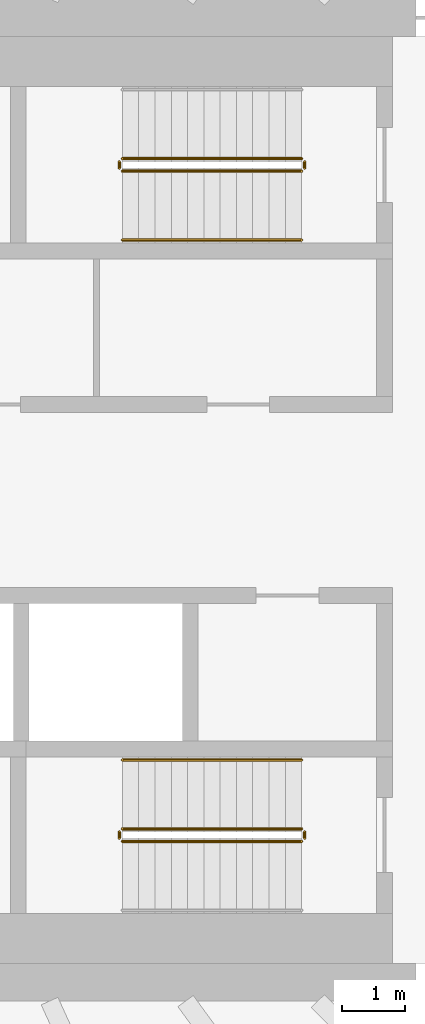
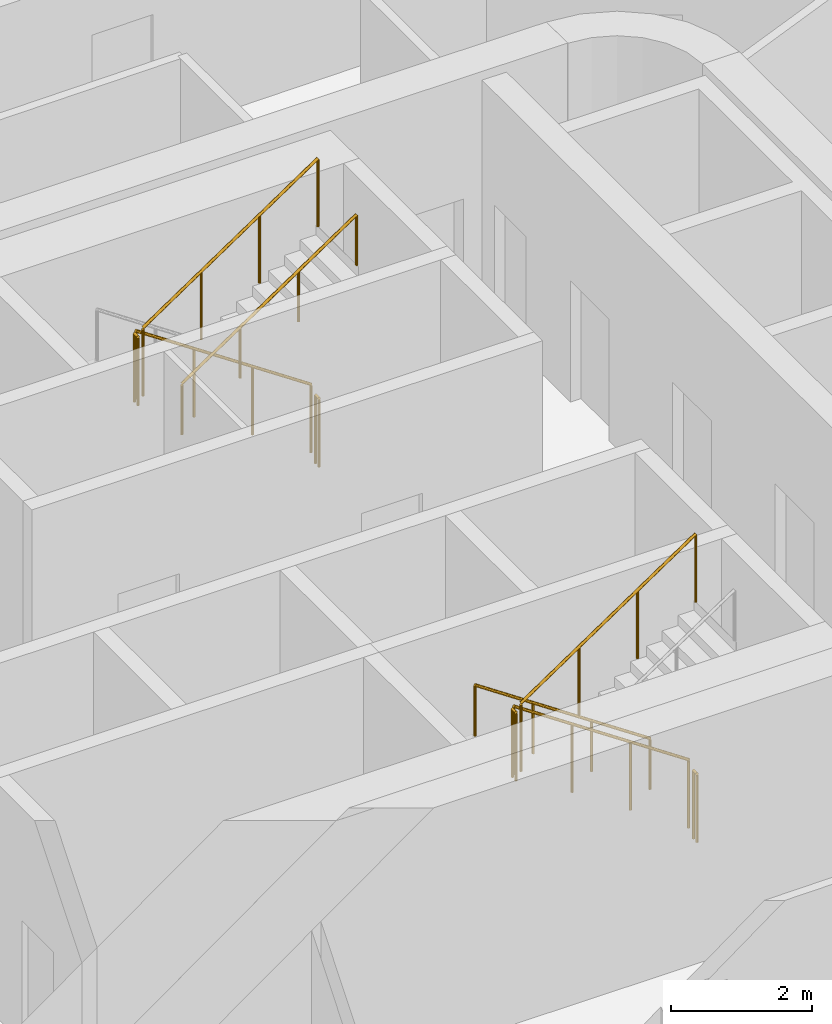
# One storey, part 25 of 28: 10 railings.
"""IFC4 building model written with IfcOpenShell, lengths in metres."""

from ifc_helpers import new_model, si_unit, direction, frame, origin, origin_2d, place, context, subcontext, project, spatial, circle, extrude, material, type_object, element, save


model = new_model("IFC4")

# Units and contexts
model_context = context("Model", 3, precision=1e-05, world=origin(), true_north=direction((0.0, 1.0)))
body_context = subcontext(model_context, "Body", "Model", "MODEL_VIEW")
ifc_project = project(units=[si_unit("LENGTHUNIT", "METRE"), si_unit("AREAUNIT", "SQUARE_METRE"), si_unit("VOLUMEUNIT", "CUBIC_METRE"), si_unit("PLANEANGLEUNIT", "RADIAN"), si_unit("MASSUNIT", "GRAM", prefix="KILO")], contexts=[model_context])

# Site, building, storey
site_placement = place(None, origin())
site = spatial("IfcSite", under=ifc_project, at=site_placement, CompositionType="ELEMENT")
building_placement = place(site_placement, origin())
building = spatial("IfcBuilding", under=site, at=building_placement, Name="Sahrelin Media Tower", CompositionType="ELEMENT")
storey_placement = place(building_placement, frame((0.0, 0.0, 75.60009765625)))
storey = spatial("IfcBuildingStorey", under=building, at=storey_placement, Name="L13", CompositionType="ELEMENT", Elevation=75.60009765625)

# Railings
ifc_material = material(Name="Steel S355", Category="steel")
railing_type_1 = type_object("IfcRailingType", Name="Stair guard 1200", PredefinedType="GUARDRAIL", material=ifc_material)
railing_1_placement = place(storey_placement, frame((7.675048828125, 5.449951171875, 0.1748046875)))
element("IfcRailing", 1, at=railing_1_placement, inside=storey, type_object=railing_type_1, Name="L13 ST3 stair guard 1", PredefinedType="GUARDRAIL", context=body_context, shape_type="SweptSolid", body=[
    extrude(circle(Radius=0.02392578125, at=origin_2d()), frame((0.0, 0.0, 1.17578125), z_axis=(-0.829590901723, 0.0, 0.558371682465), x_axis=(0.0, -1.0, 0.0)), (0.0, 0.0, 1.0), 3.447509765625),
    extrude(circle(Radius=0.02099609375, at=origin_2d()), origin(), (0.0, 0.0, 1.0), 1.15185546875),
    extrude(circle(Radius=0.02099609375, at=origin_2d()), frame((-0.953369140625, 0.0, 0.6416015625)), (0.0, 0.0, 1.0), 1.15185546875),
    extrude(circle(Radius=0.02099609375, at=origin_2d()), frame((-1.90673828125, 0.0, 1.283447265625)), (0.0, 0.0, 1.0), 1.15185546875),
    extrude(circle(Radius=0.02099609375, at=origin_2d()), frame((-2.860107421875, 0.0, 1.925048828125)), (0.0, 0.0, 1.0), 1.15185546875),
])
railing_2_placement = place(storey_placement, frame((4.764892578125, 5.39990234375, 2.099853515625)))
element("IfcRailing", 2, at=railing_2_placement, inside=storey, type_object=railing_type_1, Name="L13 ST3 stair guard 2", PredefinedType="GUARDRAIL", context=body_context, shape_type="SweptSolid", body=[
    extrude(circle(Radius=0.02392578125, at=origin_2d()), frame((0.0, 0.0, 1.17578125), z_axis=(0.0, -1.0, 0.0), x_axis=(1.0, 0.0, 0.0)), (0.0, 0.0, 1.0), 0.099853515625),
    extrude(circle(Radius=0.02099609375, at=origin_2d()), origin(), (0.0, 0.0, 1.0), 1.15185546875),
    extrude(circle(Radius=0.02099609375, at=origin_2d()), frame((0.0, -0.099853515625, 0.0)), (0.0, 0.0, 1.0), 1.15185546875),
])
railing_3_placement = place(storey_placement, frame((4.81494140625, 5.25, 2.27490234375)))
element("IfcRailing", 3, at=railing_3_placement, inside=storey, type_object=railing_type_1, Name="L13 ST3 stair guard 3", PredefinedType="GUARDRAIL", context=body_context, shape_type="SweptSolid", body=[
    extrude(circle(Radius=0.02392578125, at=origin_2d()), frame((0.0, 0.0, 1.17578125), z_axis=(0.829590901723, 0.0, 0.558371682465), x_axis=(0.0, 1.0, 0.0)), (0.0, 0.0, 1.0), 3.447509765625),
    extrude(circle(Radius=0.02099609375, at=origin_2d()), origin(), (0.0, 0.0, 1.0), 1.15185546875),
    extrude(circle(Radius=0.02099609375, at=origin_2d()), frame((0.953369140625, 0.0, 0.6416015625)), (0.0, 0.0, 1.0), 1.15185546875),
    extrude(circle(Radius=0.02099609375, at=origin_2d()), frame((1.90673828125, 0.0, 1.283447265625)), (0.0, 0.0, 1.0), 1.15185546875),
    extrude(circle(Radius=0.02099609375, at=origin_2d()), frame((2.860107421875, 0.0, 1.925048828125)), (0.0, 0.0, 1.0), 1.15185546875),
])
railing_4_placement = place(storey_placement, frame((7.72509765625, 5.39990234375, 0.0)))
element("IfcRailing", 4, at=railing_4_placement, inside=storey, type_object=railing_type_1, Name="L13 ST3 stair guard 4", PredefinedType="GUARDRAIL", context=body_context, shape_type="SweptSolid", body=[
    extrude(circle(Radius=0.02392578125, at=origin_2d()), frame((0.0, 0.0, 1.17578125), z_axis=(0.0, -1.0, 0.0), x_axis=(1.0, 0.0, 0.0)), (0.0, 0.0, 1.0), 0.099853515625),
    extrude(circle(Radius=0.02099609375, at=origin_2d()), origin(), (0.0, 0.0, 1.0), 1.15185546875),
    extrude(circle(Radius=0.02099609375, at=origin_2d()), frame((0.0, -0.099853515625, 0.0)), (0.0, 0.0, 1.0), 1.15185546875),
])
railing_5_placement = place(storey_placement, frame((7.675048828125, -5.25, 0.1748046875)))
element("IfcRailing", 5, at=railing_5_placement, inside=storey, type_object=railing_type_1, Name="L13 ST2 stair guard 1", PredefinedType="GUARDRAIL", context=body_context, shape_type="SweptSolid", body=[
    extrude(circle(Radius=0.02392578125, at=origin_2d()), frame((0.0, 0.0, 1.17578125), z_axis=(-0.829590901723, 0.0, 0.558371682465), x_axis=(0.0, -1.0, 0.0)), (0.0, 0.0, 1.0), 3.447509765625),
    extrude(circle(Radius=0.02099609375, at=origin_2d()), origin(), (0.0, 0.0, 1.0), 1.15185546875),
    extrude(circle(Radius=0.02099609375, at=origin_2d()), frame((-0.953369140625, 0.0, 0.6416015625)), (0.0, 0.0, 1.0), 1.15185546875),
    extrude(circle(Radius=0.02099609375, at=origin_2d()), frame((-1.90673828125, 0.0, 1.283447265625)), (0.0, 0.0, 1.0), 1.15185546875),
    extrude(circle(Radius=0.02099609375, at=origin_2d()), frame((-2.860107421875, 0.0, 1.925048828125)), (0.0, 0.0, 1.0), 1.15185546875),
])
railing_6_placement = place(storey_placement, frame((4.764892578125, -5.300048828125, 2.099853515625)))
element("IfcRailing", 6, at=railing_6_placement, inside=storey, type_object=railing_type_1, Name="L13 ST2 stair guard 2", PredefinedType="GUARDRAIL", context=body_context, shape_type="SweptSolid", body=[
    extrude(circle(Radius=0.02392578125, at=origin_2d()), frame((0.0, 0.0, 1.17578125), z_axis=(0.0, -1.0, 0.0), x_axis=(1.0, 0.0, 0.0)), (0.0, 0.0, 1.0), 0.099853515625),
    extrude(circle(Radius=0.02099609375, at=origin_2d()), origin(), (0.0, 0.0, 1.0), 1.15185546875),
    extrude(circle(Radius=0.02099609375, at=origin_2d()), frame((0.0, -0.099853515625, 0.0)), (0.0, 0.0, 1.0), 1.15185546875),
])
railing_7_placement = place(storey_placement, frame((4.81494140625, -5.449951171875, 2.27490234375)))
element("IfcRailing", 7, at=railing_7_placement, inside=storey, type_object=railing_type_1, Name="L13 ST2 stair guard 3", PredefinedType="GUARDRAIL", context=body_context, shape_type="SweptSolid", body=[
    extrude(circle(Radius=0.02392578125, at=origin_2d()), frame((0.0, 0.0, 1.17578125), z_axis=(0.829590901723, 0.0, 0.558371682465), x_axis=(0.0, 1.0, 0.0)), (0.0, 0.0, 1.0), 3.447509765625),
    extrude(circle(Radius=0.02099609375, at=origin_2d()), origin(), (0.0, 0.0, 1.0), 1.15185546875),
    extrude(circle(Radius=0.02099609375, at=origin_2d()), frame((0.953369140625, 0.0, 0.6416015625)), (0.0, 0.0, 1.0), 1.15185546875),
    extrude(circle(Radius=0.02099609375, at=origin_2d()), frame((1.90673828125, 0.0, 1.283447265625)), (0.0, 0.0, 1.0), 1.15185546875),
    extrude(circle(Radius=0.02099609375, at=origin_2d()), frame((2.860107421875, 0.0, 1.925048828125)), (0.0, 0.0, 1.0), 1.15185546875),
])
railing_8_placement = place(storey_placement, frame((7.72509765625, -5.300048828125, 0.0)))
element("IfcRailing", 8, at=railing_8_placement, inside=storey, type_object=railing_type_1, Name="L13 ST2 stair guard 4", PredefinedType="GUARDRAIL", context=body_context, shape_type="SweptSolid", body=[
    extrude(circle(Radius=0.02392578125, at=origin_2d()), frame((0.0, 0.0, 1.17578125), z_axis=(0.0, -1.0, 0.0), x_axis=(1.0, 0.0, 0.0)), (0.0, 0.0, 1.0), 0.099853515625),
    extrude(circle(Radius=0.02099609375, at=origin_2d()), origin(), (0.0, 0.0, 1.0), 1.15185546875),
    extrude(circle(Radius=0.02099609375, at=origin_2d()), frame((0.0, -0.099853515625, 0.0)), (0.0, 0.0, 1.0), 1.15185546875),
])
railing_type_2 = type_object("IfcRailingType", Name="Stair handrail 900", PredefinedType="HANDRAIL", material=ifc_material)
railing_9_placement = place(storey_placement, frame((4.81494140625, 4.14990234375, 2.27490234375)))
element("IfcRailing", 9, at=railing_9_placement, inside=storey, type_object=railing_type_2, Name="L13 ST3 stair handrail 2", PredefinedType="HANDRAIL", context=body_context, shape_type="SweptSolid", body=[
    extrude(circle(Radius=0.02392578125, at=origin_2d()), frame((0.0, 0.0, 0.8759765625), z_axis=(0.829590901723, 0.0, 0.558371682465), x_axis=(0.0, 1.0, 0.0)), (0.0, 0.0, 1.0), 3.447509765625),
    extrude(circle(Radius=0.02099609375, at=origin_2d()), origin(), (0.0, 0.0, 1.0), 0.851806640625),
    extrude(circle(Radius=0.02099609375, at=origin_2d()), frame((0.953369140625, 0.0, 0.6416015625)), (0.0, 0.0, 1.0), 0.851806640625),
    extrude(circle(Radius=0.02099609375, at=origin_2d()), frame((1.90673828125, 0.0, 1.283447265625)), (0.0, 0.0, 1.0), 0.851806640625),
    extrude(circle(Radius=0.02099609375, at=origin_2d()), frame((2.860107421875, 0.0, 1.925048828125)), (0.0, 0.0, 1.0), 0.851806640625),
])
railing_10_placement = place(storey_placement, frame((7.675048828125, -4.14990234375, 0.1748046875)))
element("IfcRailing", 10, at=railing_10_placement, inside=storey, type_object=railing_type_2, Name="L13 ST2 stair handrail 1", PredefinedType="HANDRAIL", context=body_context, shape_type="SweptSolid", body=[
    extrude(circle(Radius=0.02392578125, at=origin_2d()), frame((0.0, 0.0, 0.8759765625), z_axis=(-0.829590901723, 0.0, 0.558371682465), x_axis=(0.0, -1.0, 0.0)), (0.0, 0.0, 1.0), 3.447509765625),
    extrude(circle(Radius=0.02099609375, at=origin_2d()), origin(), (0.0, 0.0, 1.0), 0.851806640625),
    extrude(circle(Radius=0.02099609375, at=origin_2d()), frame((-0.953369140625, 0.0, 0.6416015625)), (0.0, 0.0, 1.0), 0.851806640625),
    extrude(circle(Radius=0.02099609375, at=origin_2d()), frame((-1.90673828125, 0.0, 1.283447265625)), (0.0, 0.0, 1.0), 0.851806640625),
    extrude(circle(Radius=0.02099609375, at=origin_2d()), frame((-2.860107421875, 0.0, 1.925048828125)), (0.0, 0.0, 1.0), 0.851806640625),
])

save(model, "model.ifc")
